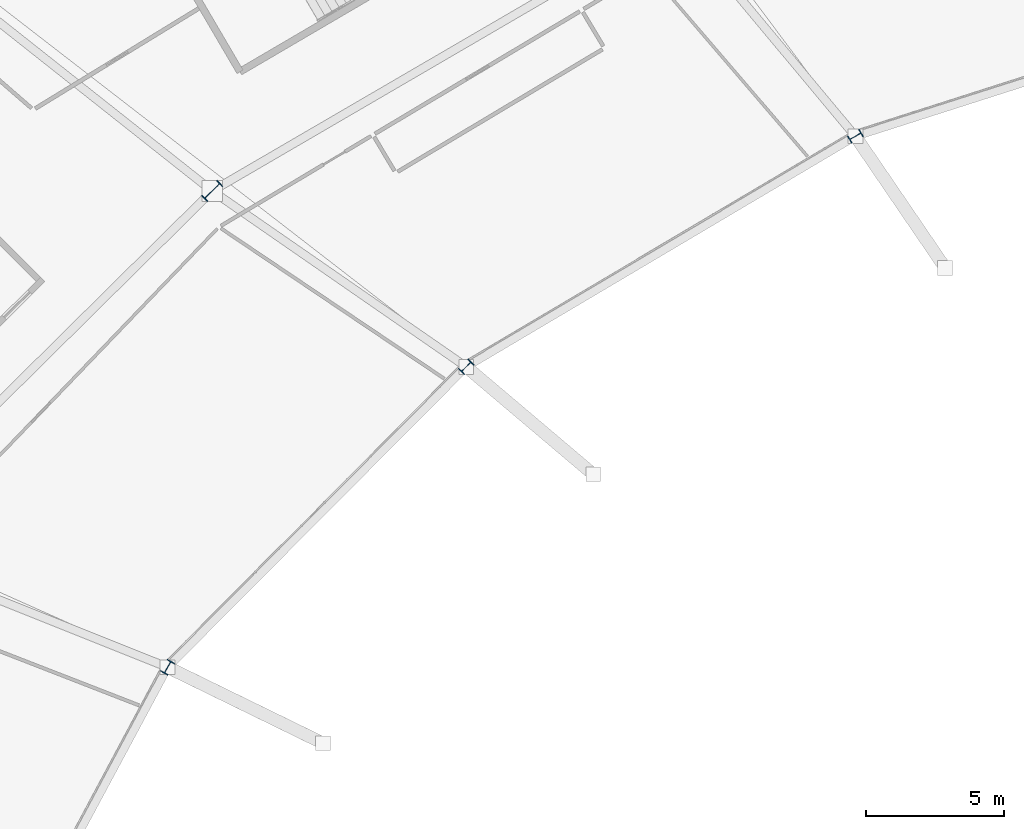
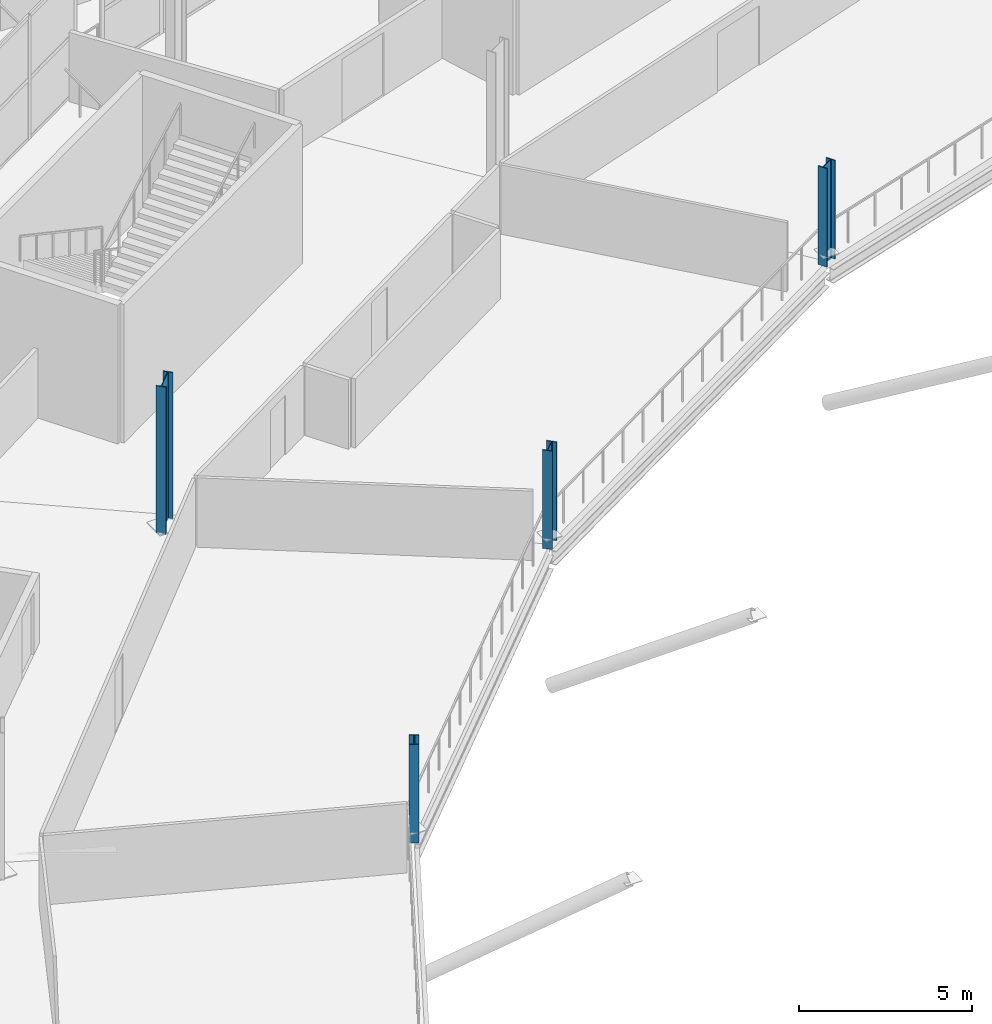
# One storey, part 8 of 168: 4 columns.
"""IFC4 building model written with IfcOpenShell, lengths in metres."""

from ifc_helpers import new_model, si_unit, direction, frame, origin, origin_2d, place, context, subcontext, project, spatial, i_section, extrude, material, material_profile, profile_set, type_object, element, save


model = new_model("IFC4")

# Units and contexts
model_context = context("Model", 3, precision=1e-05, world=origin(), true_north=direction((0.0, 1.0)))
body_context = subcontext(model_context, "Body", "Model", "MODEL_VIEW")
ifc_project = project(units=[si_unit("LENGTHUNIT", "METRE"), si_unit("AREAUNIT", "SQUARE_METRE"), si_unit("VOLUMEUNIT", "CUBIC_METRE"), si_unit("PLANEANGLEUNIT", "RADIAN"), si_unit("MASSUNIT", "GRAM", prefix="KILO")], contexts=[model_context])

# Site, building, storey
site_placement = place(None, origin())
site = spatial("IfcSite", under=ifc_project, at=site_placement, CompositionType="ELEMENT")
building_placement = place(site_placement, origin())
building = spatial("IfcBuilding", under=site, at=building_placement, Name="Zlatoyarsky Gate Stadium", CompositionType="ELEMENT")
storey_placement = place(building_placement, frame((0.0, 0.0, 15.60009765625)))
storey = spatial("IfcBuildingStorey", under=building, at=storey_placement, Name="L03", CompositionType="ELEMENT", Elevation=15.60009765625)

# Columns
ifc_material = material(Name="Steel S355", Category="steel")
ifc_material_profile_1 = material_profile(ifc_material, i_section(OverallWidth=0.300048828125, OverallDepth=0.5, WebThickness=0.014404296875, FlangeThickness=0.028076171875, FilletRadius=0.027099609375, at=origin_2d()), Name="HEB 500")
ifc_profile_set_1 = profile_set([ifc_material_profile_1], Name="Steel S355")
column_type_1 = type_object("IfcColumnType", Name="STEEL COLUMN HEB 500", PredefinedType="COLUMN", material=ifc_profile_set_1)
for number, where, z_axis, x_axis, name in (
    (1, (77.0, 125.46630859375, 0.0), (0.0, 0.0, 1.0), (-0.5, 0.866025403784, 0.0), "Column ST-C500 RA-08 on L03"),
    (2, (62.916748046875, 117.123046875, 0.0), (0.0, 0.0, 1.0), (-0.707106781187, 0.707106781187, 0.0), "Column ST-C500 RA-09 on L03"),
    (3, (52.1103515625, 106.25, 0.0), (0.0, 0.0, 1.0), (-0.866025403784, 0.5, 0.0), "Column ST-C500 RA-10 on L03"),
):
    element("IfcColumn", number, at=place(storey_placement, frame(where, z_axis=z_axis, x_axis=x_axis)), inside=storey, type_object=column_type_1, Name=name, PredefinedType="COLUMN", context=body_context, shape_type="SweptSolid", body=[
        extrude(i_section(OverallWidth=0.300048828125, OverallDepth=0.5, WebThickness=0.014404296875, FlangeThickness=0.028076171875, FilletRadius=0.027099609375, at=origin_2d()), origin(), (0.0, 0.0, 1.0), 3.47998046875),
    ])
ifc_material_profile_2 = material_profile(ifc_material, i_section(OverallWidth=0.300048828125, OverallDepth=0.800048828125, WebThickness=0.017578125, FlangeThickness=0.032958984375, FilletRadius=0.030029296875, at=origin_2d()), Name="HEB 800")
ifc_profile_set_2 = profile_set([ifc_material_profile_2], Name="Steel S355")
column_type_2 = type_object("IfcColumnType", Name="STEEL COLUMN HEB 800", PredefinedType="COLUMN", material=ifc_profile_set_2)
column_placement = place(storey_placement, frame((53.724365234375, 123.487060546875, 0.0), z_axis=(0.0, 0.0, 1.0), x_axis=(-0.707106781187, 0.707106781187, 0.0)))
element("IfcColumn", 4, at=column_placement, inside=storey, type_object=column_type_2, Name="Column ST-C800 RB-09 on L03", PredefinedType="COLUMN", context=body_context, shape_type="SweptSolid", body=[
    extrude(i_section(OverallWidth=0.300048828125, OverallDepth=0.800048828125, WebThickness=0.017578125, FlangeThickness=0.032958984375, FilletRadius=0.030029296875, at=origin_2d()), origin(), (0.0, 0.0, 1.0), 5.199951171875),
])

save(model, "model.ifc")
